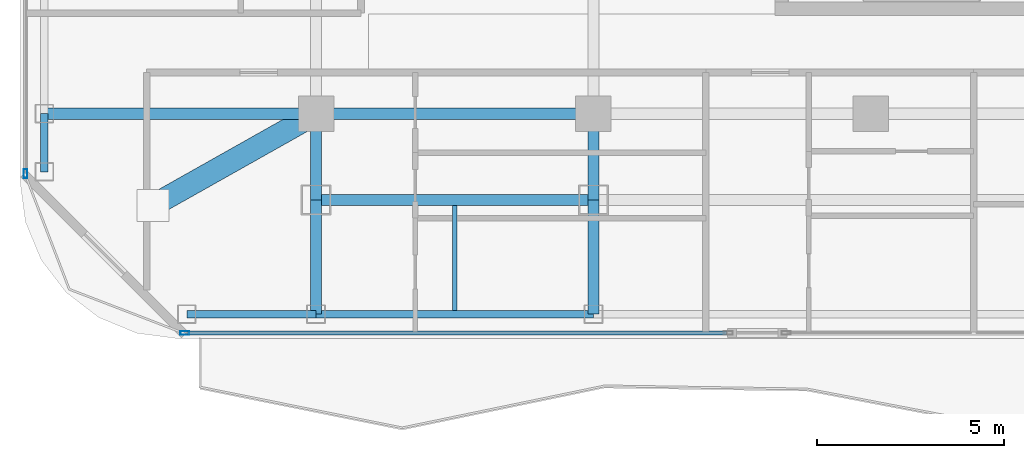
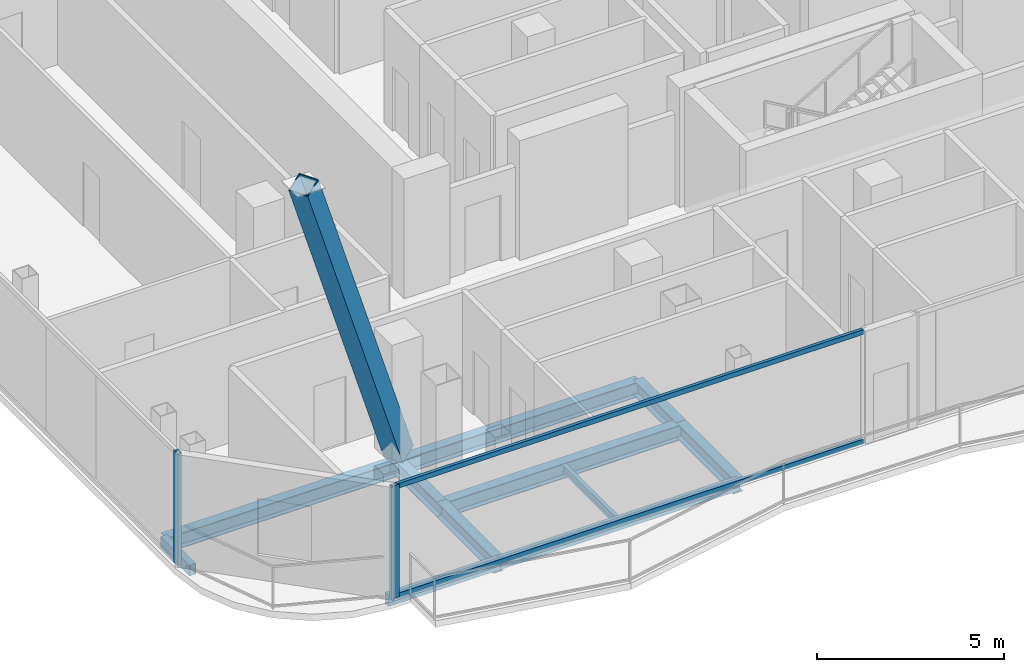
# One storey, part 2 of 24: 11 beams, 5 members, 2 elements without a shape of their own.
"""IFC4 building model written with IfcOpenShell, lengths in metres."""

from ifc_helpers import new_model, si_unit, direction, frame, origin, origin_2d, place, context, subcontext, project, spatial, hollow_rectangle, i_section, extrude, material, layer, layer_set, material_profile, profile_set, type_object, element, aggregate, save


model = new_model("IFC4")

# Units and contexts
model_context = context("Model", 3, precision=1e-05, world=origin(), true_north=direction((0.0, 1.0)))
body_context = subcontext(model_context, "Body", "Model", "MODEL_VIEW")
ifc_project = project(units=[si_unit("LENGTHUNIT", "METRE"), si_unit("AREAUNIT", "SQUARE_METRE"), si_unit("VOLUMEUNIT", "CUBIC_METRE"), si_unit("PLANEANGLEUNIT", "RADIAN"), si_unit("MASSUNIT", "GRAM", prefix="KILO")], contexts=[model_context])

# Site, building, storey
site_placement = place(None, origin())
site = spatial("IfcSite", under=ifc_project, at=site_placement, CompositionType="ELEMENT")
building_placement = place(site_placement, origin())
building = spatial("IfcBuilding", under=site, at=building_placement, Name="Khorvyn Point Tower", CompositionType="ELEMENT")
storey_placement = place(building_placement, frame((0.0, 0.0, 301.5)))
storey = spatial("IfcBuildingStorey", under=building, at=storey_placement, Name="L74", CompositionType="ELEMENT", Elevation=301.5)

# Curtain wall, member
ifc_material_1 = material(Name="Anodised aluminium 6063-T6 and laminated Low-E glass", Category="aluminium")
ifc_layer = layer(ifc_material_1, 0.18994140625)
ifc_layer_set = layer_set([ifc_layer], Name="Stick-Built High-Wind Curtain Wall CW-SYS-04")
curtain_wall_type = type_object("IfcCurtainWallType", Name="Stick-Built High-Wind Curtain Wall CW-SYS-04", PredefinedType="NOTDEFINED", material=ifc_layer_set)
curtain_wall_1_placement = place(storey_placement, origin())
curtain_wall_1 = element("IfcCurtainWall", 1, at=curtain_wall_1_placement, inside=storey, type_object=curtain_wall_type, Name="Curtain Wall", PredefinedType="NOTDEFINED")
ifc_material_2 = material(Name="Anodised aluminium 6063-T6", Category="aluminium")
ifc_material_profile_1 = material_profile(ifc_material_2, hollow_rectangle(XDim=0.10009765625, YDim=0.239990234375, WallThickness=0.0048828125, at=origin_2d()))
ifc_profile_set_1 = profile_set([ifc_material_profile_1], Name="Anodised aluminium 6063-T6 ALU-MUL-100x240")
member_type_1 = type_object("IfcMemberType", Name="Anodised Aluminium 6063-T6 Mullion ALU-MUL-100x240", PredefinedType="MULLION", material=ifc_profile_set_1)
member_1_placement = place(storey_placement, frame((-18.300048828125, -20.64990234375, 0.0), z_axis=(0.0, 0.0, 1.0), x_axis=(0.0, -1.0, 0.0)))
member_1 = element("IfcMember", 2, at=member_1_placement, type_object=member_type_1, Name="Transom", PredefinedType="MULLION", context=body_context, shape_type="SweptSolid", body=[
    extrude(hollow_rectangle(XDim=0.10009765625, YDim=0.239990234375, WallThickness=0.0048828125, at=origin_2d()), origin(), (0.0, 0.0, 1.0), 3.679931640625),
])

curtain_wall_2_placement = place(storey_placement, origin())
curtain_wall_2 = element("IfcCurtainWall", 3, at=curtain_wall_2_placement, inside=storey, type_object=curtain_wall_type, Name="Curtain Wall", PredefinedType="NOTDEFINED")
member_2_placement = place(storey_placement, frame((-22.550048828125, -16.39990234375, 0.0), z_axis=(0.0, 0.0, 1.0), x_axis=(-1.0, 0.0, 0.0)))
member_2 = element("IfcMember", 4, at=member_2_placement, type_object=member_type_1, Name="Transom", PredefinedType="MULLION", context=body_context, shape_type="SweptSolid", body=[
    extrude(hollow_rectangle(XDim=0.10009765625, YDim=0.239990234375, WallThickness=0.0048828125, at=origin_2d()), origin(), (0.0, 0.0, 1.0), 3.679931640625),
])
aggregate(curtain_wall_2, [member_2])

# Member
ifc_material_profile_2 = material_profile(ifc_material_2, hollow_rectangle(XDim=0.10009765625, YDim=0.159912109375, WallThickness=0.00439453125, at=origin_2d()))
ifc_profile_set_2 = profile_set([ifc_material_profile_2], Name="Anodised aluminium 6063-T6 ALU-TRN-100x160")
member_type_2 = type_object("IfcMemberType", Name="Anodised Aluminium 6063-T6 Transom ALU-TRN-100x160", PredefinedType="USERDEFINED", material=ifc_profile_set_2)
member_3_placement = place(storey_placement, frame((-3.846923828125, -20.64990234375, 0.050048828125), z_axis=(-1.0, 0.0, 0.0), x_axis=(0.0, -1.0, 0.0)))
member_3 = element("IfcMember", 5, at=member_3_placement, type_object=member_type_2, Name="Transom", ObjectType="TRANSOM", PredefinedType="USERDEFINED", context=body_context, shape_type="SweptSolid", body=[
    extrude(hollow_rectangle(XDim=0.10009765625, YDim=0.159912109375, WallThickness=0.00439453125, at=origin_2d()), origin(), (0.0, 0.0, 1.0), 14.403076171875),
])

member_4_placement = place(storey_placement, frame((-3.846923828125, -20.64990234375, 3.6298828125), z_axis=(-1.0, 0.0, 0.0), x_axis=(0.0, -1.0, 0.0)))
member_4 = element("IfcMember", 6, at=member_4_placement, type_object=member_type_2, Name="Transom", ObjectType="TRANSOM", PredefinedType="USERDEFINED", context=body_context, shape_type="SweptSolid", body=[
    extrude(hollow_rectangle(XDim=0.10009765625, YDim=0.159912109375, WallThickness=0.00439453125, at=origin_2d()), origin(), (0.0, 0.0, 1.0), 14.403076171875),
])

aggregate(curtain_wall_1, [member_1, member_3, member_4])

# Beams
ifc_material_3 = material(Name="Steel S355", Category="steel")
ifc_material_profile_3 = material_profile(ifc_material_3, i_section(OverallWidth=0.125, OverallDepth=0.25, WebThickness=0.006103515625, FlangeThickness=0.009033203125, at=origin_2d()))
ifc_profile_set_3 = profile_set([ifc_material_profile_3], Name="Steel S355 H250x125x6x9")
beam_type_1 = type_object("IfcBeamType", Name="Steel S355 Joist H250x125x6x9", PredefinedType="JOIST", material=ifc_profile_set_3)
beam_1_placement = place(storey_placement, frame((-11.10009765625, -20.050048828125, -0.344970703125), z_axis=(0.0, 1.0, 0.0), x_axis=(-1.0, 0.0, 0.0)))
element("IfcBeam", 7, at=beam_1_placement, inside=storey, type_object=beam_type_1, Name="Beam", PredefinedType="JOIST", context=body_context, shape_type="SweptSolid", body=[
    extrude(i_section(OverallWidth=0.125, OverallDepth=0.25, WebThickness=0.006103515625, FlangeThickness=0.009033203125, at=origin_2d()), origin(), (0.0, 0.0, 1.0), 2.800048828125),
])
ifc_material_profile_4 = material_profile(ifc_material_3, i_section(OverallWidth=0.300048828125, OverallDepth=0.488037109375, WebThickness=0.010986328125, FlangeThickness=0.01806640625, at=origin_2d()))
ifc_profile_set_4 = profile_set([ifc_material_profile_4], Name="Steel S355 H488x300x11x18")
beam_type_2 = type_object("IfcBeamType", Name="Steel S355 Spandrel H488x300x11x18", PredefinedType="SPANDREL", material=ifc_profile_set_4)
beam_2_placement = place(storey_placement, frame((-22.050048828125, -14.800048828125, -0.464111328125), z_axis=(1.0, 0.0, 0.0), x_axis=(0.0, 1.0, 0.0)))
element("IfcBeam", 8, at=beam_2_placement, inside=storey, type_object=beam_type_2, Name="Beam", PredefinedType="SPANDREL", context=body_context, shape_type="SweptSolid", body=[
    extrude(i_section(OverallWidth=0.300048828125, OverallDepth=0.488037109375, WebThickness=0.010986328125, FlangeThickness=0.01806640625, at=origin_2d()), origin(), (0.0, 0.0, 1.0), 7.25),
])
for number, where, z_axis, x_axis, name in (
    (9, (-14.800048828125, -14.800048828125, -0.464111328125), (1.0, 0.0, 0.0), (0.0, 1.0, 0.0), "Beam"),
    (10, (-14.800048828125, -17.10009765625, -0.464111328125), (1.0, 0.0, 0.0), (0.0, 1.0, 0.0), "Beam"),
):
    element("IfcBeam", number, at=place(storey_placement, frame(where, z_axis=z_axis, x_axis=x_axis)), inside=storey, type_object=beam_type_2, Name=name, PredefinedType="SPANDREL", context=body_context, shape_type="SweptSolid", body=[
        extrude(i_section(OverallWidth=0.300048828125, OverallDepth=0.488037109375, WebThickness=0.010986328125, FlangeThickness=0.01806640625, at=origin_2d()), origin(), (0.0, 0.0, 1.0), 7.400146484375),
    ])
beam_3_placement = place(storey_placement, frame((-14.800048828125, -20.14990234375, -0.464111328125), z_axis=(0.0, 1.0, 0.0), x_axis=(-1.0, 0.0, 0.0)))
element("IfcBeam", 11, at=beam_3_placement, inside=storey, type_object=beam_type_2, Name="Beam", PredefinedType="SPANDREL", context=body_context, shape_type="SweptSolid", body=[
    extrude(i_section(OverallWidth=0.300048828125, OverallDepth=0.488037109375, WebThickness=0.010986328125, FlangeThickness=0.01806640625, at=origin_2d()), origin(), (0.0, 0.0, 1.0), 3.0498046875),
])
beam_4_placement = place(storey_placement, frame((-14.800048828125, -17.10009765625, -0.464111328125), z_axis=(0.0, 1.0, 0.0), x_axis=(-1.0, 0.0, 0.0)))
element("IfcBeam", 12, at=beam_4_placement, inside=storey, type_object=beam_type_2, Name="Beam", PredefinedType="SPANDREL", context=body_context, shape_type="SweptSolid", body=[
    extrude(i_section(OverallWidth=0.300048828125, OverallDepth=0.488037109375, WebThickness=0.010986328125, FlangeThickness=0.01806640625, at=origin_2d()), origin(), (0.0, 0.0, 1.0), 2.300048828125),
])
beam_5_placement = place(storey_placement, frame((-7.39990234375, -20.14990234375, -0.464111328125), z_axis=(0.0, 1.0, 0.0), x_axis=(-1.0, 0.0, 0.0)))
element("IfcBeam", 13, at=beam_5_placement, inside=storey, type_object=beam_type_2, Name="Beam", PredefinedType="SPANDREL", context=body_context, shape_type="SweptSolid", body=[
    extrude(i_section(OverallWidth=0.300048828125, OverallDepth=0.488037109375, WebThickness=0.010986328125, FlangeThickness=0.01806640625, at=origin_2d()), origin(), (0.0, 0.0, 1.0), 3.0498046875),
])
beam_6_placement = place(storey_placement, frame((-7.39990234375, -17.10009765625, -0.464111328125), z_axis=(0.0, 1.0, 0.0), x_axis=(-1.0, 0.0, 0.0)))
element("IfcBeam", 14, at=beam_6_placement, inside=storey, type_object=beam_type_2, Name="Beam", PredefinedType="SPANDREL", context=body_context, shape_type="SweptSolid", body=[
    extrude(i_section(OverallWidth=0.300048828125, OverallDepth=0.488037109375, WebThickness=0.010986328125, FlangeThickness=0.01806640625, at=origin_2d()), origin(), (0.0, 0.0, 1.0), 2.300048828125),
])
ifc_material_profile_5 = material_profile(ifc_material_3, hollow_rectangle(XDim=0.199951171875, YDim=0.35009765625, WallThickness=0.013916015625, at=origin_2d()))
ifc_profile_set_5 = profile_set([ifc_material_profile_5], Name="Steel S355 RHS350x200x14")
beam_type_3 = type_object("IfcBeamType", Name="Steel S355 Spandrel RHS350x200x14", PredefinedType="SPANDREL", material=ifc_profile_set_5)
beam_7_placement = place(storey_placement, frame((-18.25, -20.14990234375, -0.39501953125), z_axis=(1.0, 0.0, 0.0), x_axis=(0.0, 1.0, 0.0)))
element("IfcBeam", 15, at=beam_7_placement, inside=storey, type_object=beam_type_3, Name="Beam", PredefinedType="SPANDREL", context=body_context, shape_type="SweptSolid", body=[
    extrude(hollow_rectangle(XDim=0.199951171875, YDim=0.35009765625, WallThickness=0.013916015625, at=origin_2d()), origin(), (0.0, 0.0, 1.0), 3.449951171875),
])
beam_8_placement = place(storey_placement, frame((-14.800048828125, -20.14990234375, -0.39501953125), z_axis=(1.0, 0.0, 0.0), x_axis=(0.0, 1.0, 0.0)))
element("IfcBeam", 16, at=beam_8_placement, inside=storey, type_object=beam_type_3, Name="Beam", PredefinedType="SPANDREL", context=body_context, shape_type="SweptSolid", body=[
    extrude(hollow_rectangle(XDim=0.199951171875, YDim=0.35009765625, WallThickness=0.013916015625, at=origin_2d()), origin(), (0.0, 0.0, 1.0), 7.400146484375),
])
beam_9_placement = place(storey_placement, frame((-22.050048828125, -16.35009765625, -0.39501953125), z_axis=(0.0, 1.0, 0.0), x_axis=(-1.0, 0.0, 0.0)))
element("IfcBeam", 17, at=beam_9_placement, inside=storey, type_object=beam_type_3, Name="Beam", PredefinedType="SPANDREL", context=body_context, shape_type="SweptSolid", body=[
    extrude(hollow_rectangle(XDim=0.199951171875, YDim=0.35009765625, WallThickness=0.013916015625, at=origin_2d()), origin(), (0.0, 0.0, 1.0), 1.550048828125),
])

# Member
ifc_material_4 = material(Name="Steel S450", Category="steel")
ifc_material_profile_6 = material_profile(ifc_material_4, hollow_rectangle(XDim=0.60009765625, YDim=0.60009765625, WallThickness=0.028076171875, at=origin_2d()))
ifc_profile_set_6 = profile_set([ifc_material_profile_6], Name="Steel S450 BOX600x600x28")
member_type_3 = type_object("IfcMemberType", Name="Steel S450 Exoskeleton Structural Post BOX600x600x28", PredefinedType="POST", material=ifc_profile_set_6)
member_5_placement = place(storey_placement, frame((-14.800048828125, -14.800048828125, 0.0), z_axis=(-0.3419548815, -0.192597925344, 0.919767850151), x_axis=(0.490741778724, -0.871305059445, 0.0)))
element("IfcMember", 18, at=member_5_placement, inside=storey, type_object=member_type_3, Name="L74 to L77 Crown Corner Support Post 1", PredefinedType="POST", context=body_context, shape_type="SweptSolid", body=[
    extrude(hollow_rectangle(XDim=0.60009765625, YDim=0.60009765625, WallThickness=0.028076171875, at=origin_2d()), origin(), (0.0, 0.0, 1.0), 12.720458984375),
])

save(model, "model.ifc")
